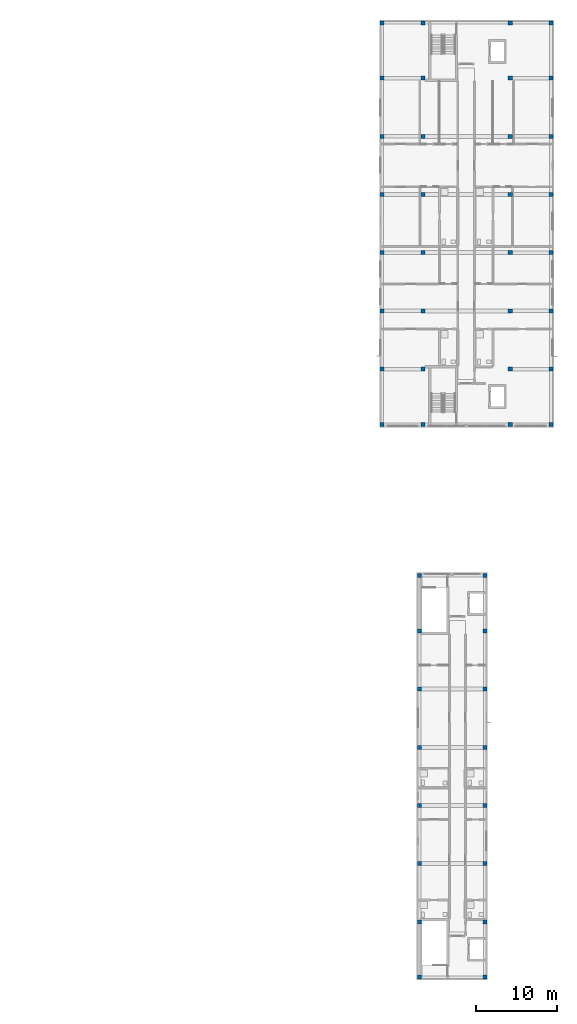
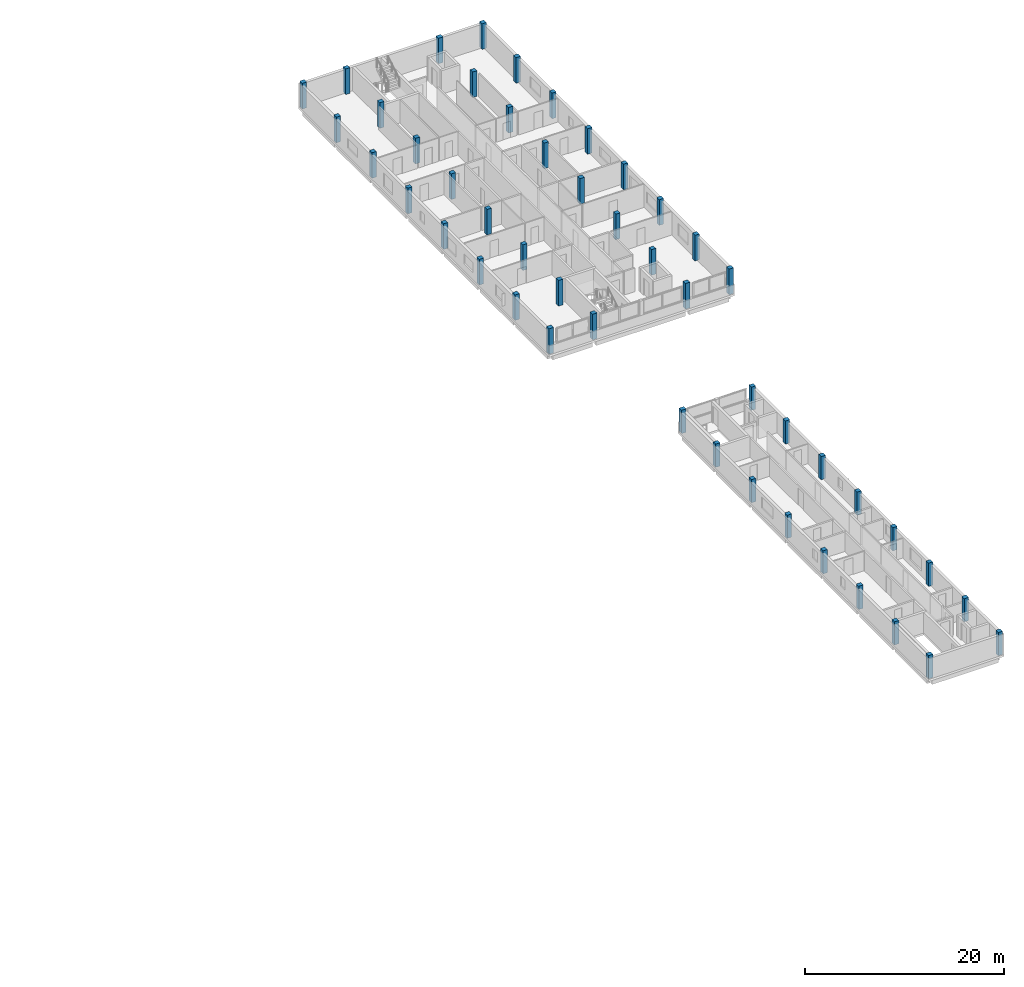
# One storey, part 2 of 28: 48 columns.
"""IFC4 building model written with IfcOpenShell, lengths in metres."""

from ifc_helpers import new_model, si_unit, derived_unit, direction, frame, origin, origin_2d, place, context, subcontext, project, spatial, rectangle, extrude, material, material_profile, profile_set, type_object, element, save


model = new_model("IFC4")

# Units and contexts
model_context = context("Model", 3, precision=1e-05, world=origin(), true_north=direction((0.0, 1.0)))
body_context = subcontext(model_context, "Body", "Model", "MODEL_VIEW")
ifc_project = project(units=[si_unit("LENGTHUNIT", "METRE"), si_unit("AREAUNIT", "SQUARE_METRE"), si_unit("VOLUMEUNIT", "CUBIC_METRE"), si_unit("PLANEANGLEUNIT", "RADIAN"), si_unit("MASSUNIT", "GRAM", prefix="KILO"), derived_unit("THERMALTRANSMITTANCEUNIT", [(si_unit("MASSUNIT", "GRAM", prefix="KILO"), 1), (si_unit("TIMEUNIT", "SECOND"), -3), (si_unit("THERMODYNAMICTEMPERATUREUNIT", "KELVIN"), -1)])], contexts=[model_context])

# Site, building, storey
site_placement = place(None, origin())
site = spatial("IfcSite", under=ifc_project, at=site_placement, CompositionType="ELEMENT")
building_placement = place(site_placement, origin())
building = spatial("IfcBuilding", under=site, at=building_placement, Name="Ochrekiln Boulevard Commons", CompositionType="ELEMENT")
storey_placement = place(building_placement, frame((0.0, 0.0, 34.125)))
storey = spatial("IfcBuildingStorey", under=building, at=storey_placement, Name="L10", CompositionType="ELEMENT", Elevation=34.125)

# Columns
ifc_material = material(Name="Concrete C35/45", Category="concrete")
ifc_material_profile = material_profile(ifc_material, rectangle(XDim=0.5, YDim=0.5, at=origin_2d()), Name="RC-COL-500x500")
ifc_profile_set = profile_set([ifc_material_profile], Name="Concrete C35/45")
column_type = type_object("IfcColumnType", Name="COL-RC-500", PredefinedType="COLUMN", material=ifc_profile_set)
for number, where, z_axis, x_axis, name in (
    (1, (151.550048828125, 68.75, 0.0), (0.0, 0.0, 1.0), (1.0, 0.0, 0.0), "Block B L10 Column C-500 (1)"),
    (2, (151.550048828125, 75.60009765625, 0.0), (0.0, 0.0, 1.0), (1.0, 0.0, 0.0), "Block B L10 Column C-500 (2)"),
    (3, (151.550048828125, 82.800048828125, 0.0), (0.0, 0.0, 1.0), (1.0, 0.0, 0.0), "Block B L10 Column C-500 (3)"),
    (4, (151.550048828125, 90.0, 0.0), (0.0, 0.0, 1.0), (1.0, 0.0, 0.0), "Block B L10 Column C-500 (4)"),
    (5, (151.550048828125, 97.199951171875, 0.0), (0.0, 0.0, 1.0), (1.0, 0.0, 0.0), "Block B L10 Column C-500 (5)"),
    (6, (151.550048828125, 104.39990234375, 0.0), (0.0, 0.0, 1.0), (1.0, 0.0, 0.0), "Block B L10 Column C-500 (6)"),
    (7, (151.550048828125, 111.60009765625, 0.0), (0.0, 0.0, 1.0), (1.0, 0.0, 0.0), "Block B L10 Column C-500 (7)"),
    (8, (151.550048828125, 118.449951171875, 0.0), (0.0, 0.0, 1.0), (1.0, 0.0, 0.0), "Block B L10 Column C-500 (8)"),
    (9, (156.60009765625, 68.75, 0.0), (0.0, 0.0, 1.0), (1.0, 0.0, 0.0), "Block B L10 Column C-500 (9)"),
    (10, (156.60009765625, 75.60009765625, 0.0), (0.0, 0.0, 1.0), (1.0, 0.0, 0.0), "Block B L10 Column C-500 (10)"),
    (11, (156.60009765625, 82.800048828125, 0.0), (0.0, 0.0, 1.0), (1.0, 0.0, 0.0), "Block B L10 Column C-500 (11)"),
    (12, (156.60009765625, 90.0, 0.0), (0.0, 0.0, 1.0), (1.0, 0.0, 0.0), "Block B L10 Column C-500 (12)"),
    (13, (156.60009765625, 97.199951171875, 0.0), (0.0, 0.0, 1.0), (1.0, 0.0, 0.0), "Block B L10 Column C-500 (13)"),
    (14, (156.60009765625, 104.39990234375, 0.0), (0.0, 0.0, 1.0), (1.0, 0.0, 0.0), "Block B L10 Column C-500 (14)"),
    (15, (156.60009765625, 111.60009765625, 0.0), (0.0, 0.0, 1.0), (1.0, 0.0, 0.0), "Block B L10 Column C-500 (15)"),
    (16, (156.60009765625, 118.449951171875, 0.0), (0.0, 0.0, 1.0), (1.0, 0.0, 0.0), "Block B L10 Column C-500 (16)"),
    (17, (167.39990234375, 68.75, 0.0), (0.0, 0.0, 1.0), (1.0, 0.0, 0.0), "Block B L10 Column C-500 (17)"),
    (18, (167.39990234375, 75.60009765625, 0.0), (0.0, 0.0, 1.0), (1.0, 0.0, 0.0), "Block B L10 Column C-500 (18)"),
    (19, (167.39990234375, 82.800048828125, 0.0), (0.0, 0.0, 1.0), (1.0, 0.0, 0.0), "Block B L10 Column C-500 (19)"),
    (20, (167.39990234375, 90.0, 0.0), (0.0, 0.0, 1.0), (1.0, 0.0, 0.0), "Block B L10 Column C-500 (20)"),
    (21, (167.39990234375, 97.199951171875, 0.0), (0.0, 0.0, 1.0), (1.0, 0.0, 0.0), "Block B L10 Column C-500 (21)"),
    (22, (167.39990234375, 104.39990234375, 0.0), (0.0, 0.0, 1.0), (1.0, 0.0, 0.0), "Block B L10 Column C-500 (22)"),
    (23, (167.39990234375, 111.60009765625, 0.0), (0.0, 0.0, 1.0), (1.0, 0.0, 0.0), "Block B L10 Column C-500 (23)"),
    (24, (167.39990234375, 118.449951171875, 0.0), (0.0, 0.0, 1.0), (1.0, 0.0, 0.0), "Block B L10 Column C-500 (24)"),
    (25, (172.449951171875, 68.75, 0.0), (0.0, 0.0, 1.0), (1.0, 0.0, 0.0), "Block B L10 Column C-500 (25)"),
    (26, (172.449951171875, 75.60009765625, 0.0), (0.0, 0.0, 1.0), (1.0, 0.0, 0.0), "Block B L10 Column C-500 (26)"),
    (27, (172.449951171875, 82.800048828125, 0.0), (0.0, 0.0, 1.0), (1.0, 0.0, 0.0), "Block B L10 Column C-500 (27)"),
    (28, (172.449951171875, 90.0, 0.0), (0.0, 0.0, 1.0), (1.0, 0.0, 0.0), "Block B L10 Column C-500 (28)"),
    (29, (172.449951171875, 97.199951171875, 0.0), (0.0, 0.0, 1.0), (1.0, 0.0, 0.0), "Block B L10 Column C-500 (29)"),
    (30, (172.449951171875, 104.39990234375, 0.0), (0.0, 0.0, 1.0), (1.0, 0.0, 0.0), "Block B L10 Column C-500 (30)"),
    (31, (172.449951171875, 111.60009765625, 0.0), (0.0, 0.0, 1.0), (1.0, 0.0, 0.0), "Block B L10 Column C-500 (31)"),
    (32, (172.449951171875, 118.449951171875, 0.0), (0.0, 0.0, 1.0), (1.0, 0.0, 0.0), "Block B L10 Column C-500 (32)"),
):
    element("IfcColumn", number, at=place(storey_placement, frame(where, z_axis=z_axis, x_axis=x_axis)), inside=storey, type_object=column_type, Name=name, PredefinedType="COLUMN", context=body_context, shape_type="SweptSolid", body=[
        extrude(rectangle(XDim=0.5, YDim=0.5, at=origin_2d()), origin(), (0.0, 0.0, 1.0), 3.14990234375),
    ])
for number, where, z_axis, x_axis, name in (
    (33, (156.14990234375, 0.35009765625, 0.0), (0.0, 0.0, 1.0), (1.0, 0.0, 0.0), "Block C L10 Column C-500 (9)"),
    (34, (156.14990234375, 7.199951171875, 0.0), (0.0, 0.0, 1.0), (1.0, 0.0, 0.0), "Block C L10 Column C-500 (10)"),
    (35, (156.14990234375, 14.39990234375, 0.0), (0.0, 0.0, 1.0), (1.0, 0.0, 0.0), "Block C L10 Column C-500 (11)"),
    (36, (156.14990234375, 21.60009765625, 0.0), (0.0, 0.0, 1.0), (1.0, 0.0, 0.0), "Block C L10 Column C-500 (12)"),
    (37, (156.14990234375, 28.800048828125, 0.0), (0.0, 0.0, 1.0), (1.0, 0.0, 0.0), "Block C L10 Column C-500 (13)"),
    (38, (156.14990234375, 36.0, 0.0), (0.0, 0.0, 1.0), (1.0, 0.0, 0.0), "Block C L10 Column C-500 (14)"),
    (39, (156.14990234375, 43.199951171875, 0.0), (0.0, 0.0, 1.0), (1.0, 0.0, 0.0), "Block C L10 Column C-500 (15)"),
    (40, (156.14990234375, 50.050048828125, 0.0), (0.0, 0.0, 1.0), (1.0, 0.0, 0.0), "Block C L10 Column C-500 (16)"),
    (41, (164.25, 0.35009765625, 0.0), (0.0, 0.0, 1.0), (1.0, 0.0, 0.0), "Block C L10 Column C-500 (17)"),
    (42, (164.25, 7.199951171875, 0.0), (0.0, 0.0, 1.0), (1.0, 0.0, 0.0), "Block C L10 Column C-500 (18)"),
    (43, (164.25, 14.39990234375, 0.0), (0.0, 0.0, 1.0), (1.0, 0.0, 0.0), "Block C L10 Column C-500 (19)"),
    (44, (164.25, 21.60009765625, 0.0), (0.0, 0.0, 1.0), (1.0, 0.0, 0.0), "Block C L10 Column C-500 (20)"),
    (45, (164.25, 28.800048828125, 0.0), (0.0, 0.0, 1.0), (1.0, 0.0, 0.0), "Block C L10 Column C-500 (21)"),
    (46, (164.25, 36.0, 0.0), (0.0, 0.0, 1.0), (1.0, 0.0, 0.0), "Block C L10 Column C-500 (22)"),
    (47, (164.25, 43.199951171875, 0.0), (0.0, 0.0, 1.0), (1.0, 0.0, 0.0), "Block C L10 Column C-500 (23)"),
    (48, (164.25, 50.050048828125, 0.0), (0.0, 0.0, 1.0), (1.0, 0.0, 0.0), "Block C L10 Column C-500 (24)"),
):
    element("IfcColumn", number, at=place(storey_placement, frame(where, z_axis=z_axis, x_axis=x_axis)), inside=storey, type_object=column_type, Name=name, PredefinedType="COLUMN", context=body_context, shape_type="SweptSolid", body=[
        extrude(rectangle(XDim=0.5, YDim=0.5, at=origin_2d()), origin(), (0.0, 0.0, 1.0), 2.85009765625),
    ])

save(model, "model.ifc")
